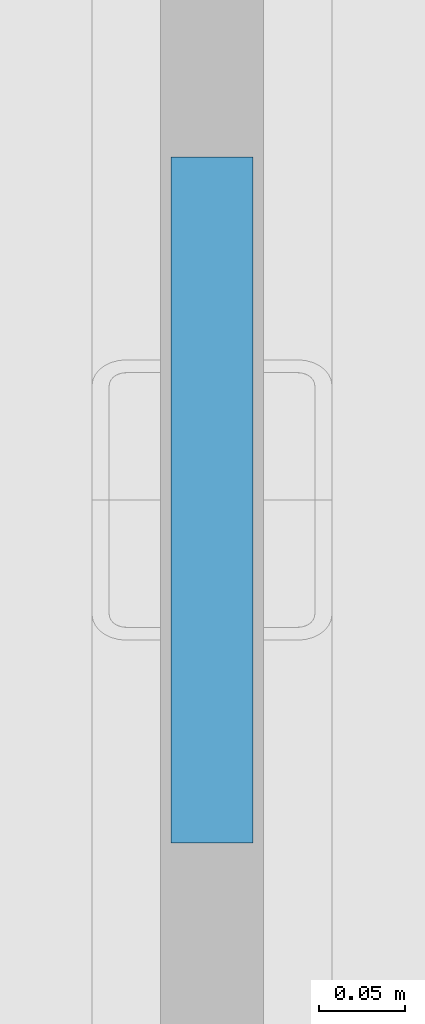
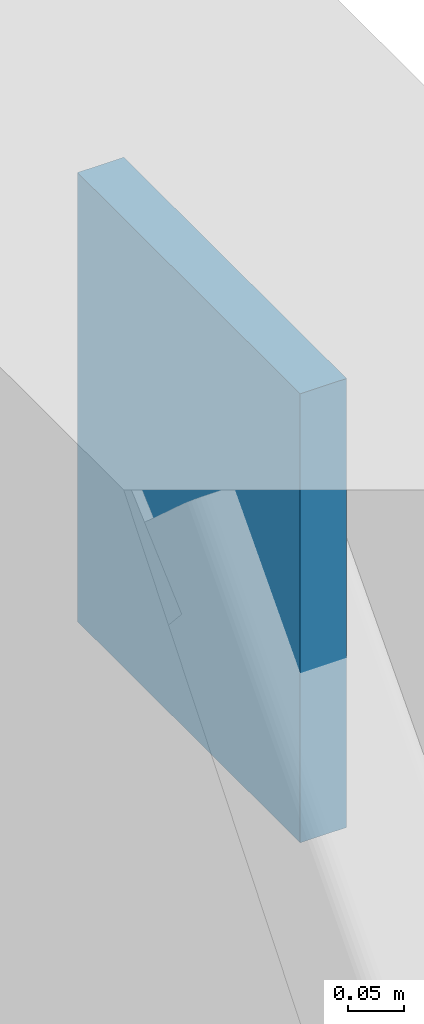
# One storey, part 72 of 102: 1 plate.
"""IFC4 building model written with IfcOpenShell, lengths in metres."""

from ifc_helpers import new_model, si_unit, direction, frame, origin, origin_2d, place, context, subcontext, project, spatial, rectangle, extrude, material, layer, layer_set, type_object, element, save


model = new_model("IFC4")

# Units and contexts
model_context = context("Model", 3, precision=1e-05, world=origin(), true_north=direction((0.0, 1.0)))
body_context = subcontext(model_context, "Body", "Model", "MODEL_VIEW")
ifc_project = project(units=[si_unit("LENGTHUNIT", "METRE"), si_unit("AREAUNIT", "SQUARE_METRE"), si_unit("VOLUMEUNIT", "CUBIC_METRE"), si_unit("PLANEANGLEUNIT", "RADIAN"), si_unit("MASSUNIT", "GRAM", prefix="KILO")], contexts=[model_context])

# Site, building, storey
site_placement = place(None, origin())
site = spatial("IfcSite", under=ifc_project, at=site_placement, CompositionType="ELEMENT")
building_placement = place(site_placement, origin())
building = spatial("IfcBuilding", under=site, at=building_placement, Name="Kolvemor Railside Polytechnic", CompositionType="ELEMENT")
storey_placement = place(building_placement, origin())
storey = spatial("IfcBuildingStorey", under=building, at=storey_placement, Name="L00", CompositionType="ELEMENT", Elevation=0.0)

# Plate
ifc_material = material(Name="Steel S355", Category="steel")
ifc_layer = layer(ifc_material, 0.048095703125, Name="PLT-GUSSET-4")
ifc_layer_set = layer_set([ifc_layer], Name="Steel S355")
plate_type = type_object("IfcPlateType", Name="PLT-GUSSET-4", PredefinedType="USERDEFINED", material=ifc_layer_set)
plate_placement = place(storey_placement, frame((182.39990234375, 9.0, 4.56396484375), z_axis=(0.0, 0.0, 1.0), x_axis=(0.0, 1.0, 0.0)))
element("IfcPlate", 1, at=plate_placement, inside=storey, type_object=plate_type, Name="Brace Chevron Gusset Plate GP-BR20", ObjectType="GUSSET PLATE", PredefinedType="USERDEFINED", context=body_context, shape_type="SweptSolid", body=[
    extrude(rectangle(XDim=0.39990234375, YDim=0.048095703125, at=origin_2d()), origin(), (0.0, 0.0, 1.0), 0.491943359375),
])

save(model, "model.ifc")
